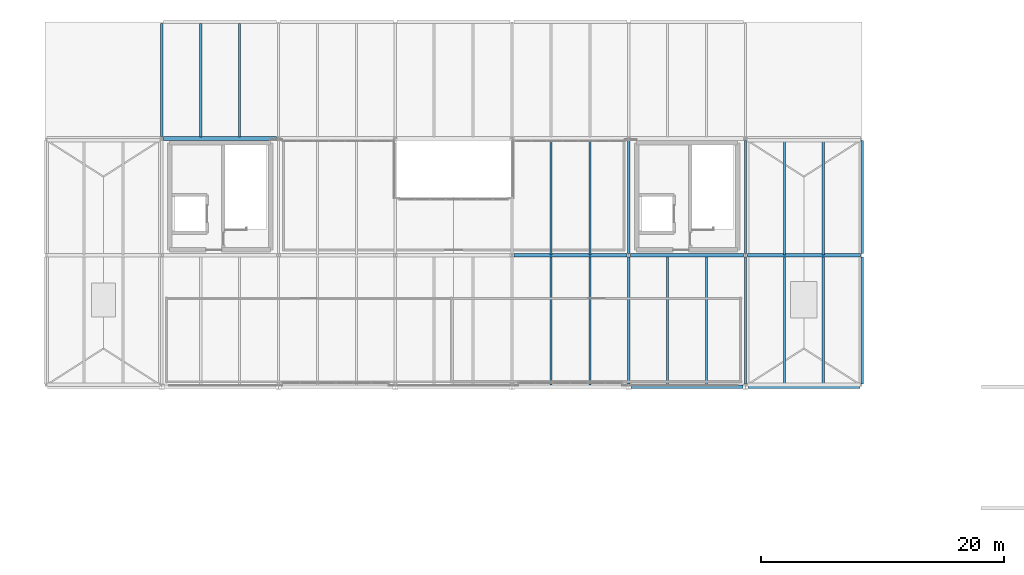
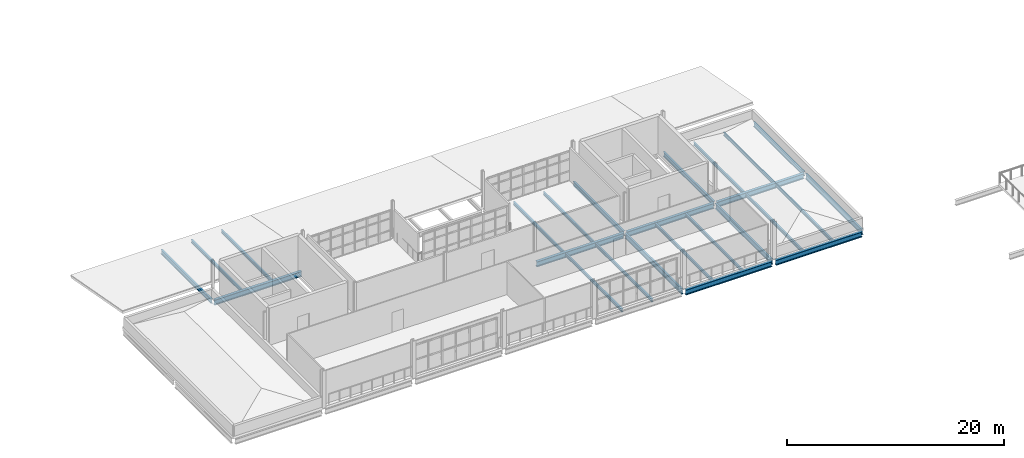
# One storey, part 25 of 58: 25 beams.
"""IFC4 building model written with IfcOpenShell, lengths in metres."""

from ifc_helpers import new_model, si_unit, direction, frame, origin, origin_2d, place, context, subcontext, project, spatial, i_section, extrude, material, material_profile, profile_set, type_object, element, save


model = new_model("IFC4")

# Units and contexts
model_context = context("Model", 3, precision=1e-05, world=origin(), true_north=direction((0.0, 1.0)))
body_context = subcontext(model_context, "Body", "Model", "MODEL_VIEW")
ifc_project = project(units=[si_unit("LENGTHUNIT", "METRE"), si_unit("AREAUNIT", "SQUARE_METRE"), si_unit("VOLUMEUNIT", "CUBIC_METRE"), si_unit("PLANEANGLEUNIT", "RADIAN"), si_unit("MASSUNIT", "GRAM", prefix="KILO")], contexts=[model_context])

# Site, building, storey
site_placement = place(None, origin())
site = spatial("IfcSite", under=ifc_project, at=site_placement, CompositionType="ELEMENT")
building_placement = place(site_placement, origin())
building = spatial("IfcBuilding", under=site, at=building_placement, Name="Yeouljin Market Hall", CompositionType="ELEMENT")
storey_placement = place(building_placement, frame((0.0, 0.0, 10.800048828125)))
storey = spatial("IfcBuildingStorey", under=building, at=storey_placement, Name="L02", CompositionType="ELEMENT", Elevation=10.800048828125)

# Beams
ifc_material_1 = material(Name="Steel SM355", Category="steel")
ifc_material_profile_1 = material_profile(ifc_material_1, i_section(OverallWidth=0.199951171875, OverallDepth=0.5, WebThickness=0.010009765625, FlangeThickness=0.01611328125, FilletRadius=0.02001953125, at=origin_2d()), Name="H-500x200x10x16")
ifc_profile_set_1 = profile_set([ifc_material_profile_1], Name="Steel SM355")
beam_type_1 = type_object("IfcBeamType", Name="Beam_H-500x200x10x16", PredefinedType="BEAM", material=ifc_profile_set_1)
for number, where, z_axis, x_axis, name in (
    (1, (64.199951171875, 98.550048828125, -0.550048828125), (0.0, 1.0, 0.0), (-1.0, 0.0, 0.0), "Primary beam BM-L02-Y109"),
    (2, (102.60009765625, 88.949951171875, -0.505126953125), (0.0, 1.0, 0.0), (-1.0, 0.0, 0.0), "Primary beam BM-L02-Y120"),
    (3, (112.199951171875, 88.949951171875, -0.51513671875), (0.0, 1.0, 0.0), (-1.0, 0.0, 0.0), "Primary beam BM-L02-Y123"),
    (4, (121.800048828125, 88.949951171875, -0.51513671875), (0.0, 1.0, 0.0), (-1.0, 0.0, 0.0), "Primary beam BM-L02-Y126"),
):
    element("IfcBeam", number, at=place(storey_placement, frame(where, z_axis=z_axis, x_axis=x_axis)), inside=storey, type_object=beam_type_1, Name=name, PredefinedType="BEAM", context=body_context, shape_type="SweptSolid", body=[
        extrude(i_section(OverallWidth=0.199951171875, OverallDepth=0.5, WebThickness=0.010009765625, FlangeThickness=0.01611328125, FilletRadius=0.02001953125, at=origin_2d()), origin(), (0.0, 0.0, 1.0), 9.300048828125),
    ])
ifc_material_2 = material(Name="Steel SM355", Category="steel")
ifc_material_profile_2 = material_profile(ifc_material_2, i_section(OverallWidth=0.199951171875, OverallDepth=0.60009765625, WebThickness=0.010986328125, FlangeThickness=0.01708984375, FilletRadius=0.02197265625, at=origin_2d()), Name="H-600x200x11x17")
ifc_profile_set_2 = profile_set([ifc_material_profile_2], Name="Steel SM355")
beam_type_2 = type_object("IfcBeamType", Name="Beam_H-600x200x11x17", PredefinedType="BEAM", material=ifc_profile_set_2)
for number, where, z_axis, x_axis, name in (
    (5, (102.60009765625, 78.199951171875, -0.554931640625), (0.0, 1.0, 0.0), (-1.0, 0.0, 0.0), "Primary beam BM-L02-Y119"),
    (6, (112.199951171875, 78.199951171875, -0.56494140625), (0.0, 1.0, 0.0), (-1.0, 0.0, 0.0), "Primary beam BM-L02-Y122"),
    (7, (121.800048828125, 78.199951171875, -0.56494140625), (0.0, 1.0, 0.0), (-1.0, 0.0, 0.0), "Primary beam BM-L02-Y125"),
):
    element("IfcBeam", number, at=place(storey_placement, frame(where, z_axis=z_axis, x_axis=x_axis)), inside=storey, type_object=beam_type_2, Name=name, PredefinedType="BEAM", context=body_context, shape_type="SweptSolid", body=[
        extrude(i_section(OverallWidth=0.199951171875, OverallDepth=0.60009765625, WebThickness=0.010986328125, FlangeThickness=0.01708984375, FilletRadius=0.02197265625, at=origin_2d()), origin(), (0.0, 0.0, 1.0), 10.449951171875),
    ])
ifc_material_3 = material(Name="Steel SM355", Category="steel")
ifc_material_profile_3 = material_profile(ifc_material_3, i_section(OverallWidth=0.300048828125, OverallDepth=0.587890625, WebThickness=0.011962890625, FlangeThickness=0.02001953125, FilletRadius=0.02392578125, at=origin_2d()), Name="H-588x300x12x20")
ifc_profile_set_3 = profile_set([ifc_material_profile_3], Name="Steel SM355")
beam_type_3 = type_object("IfcBeamType", Name="Girder_H-588x300x12x20", PredefinedType="USERDEFINED", material=ifc_profile_set_3)
beam_1_placement = place(storey_placement, frame((102.800048828125, 78.0, -0.549072265625), z_axis=(1.0, 0.0, 0.0), x_axis=(0.0, 1.0, 0.0)))
element("IfcBeam", 8, at=beam_1_placement, inside=storey, type_object=beam_type_3, Name="Primary girder GRD-L02-X052", ObjectType="GIRDER", PredefinedType="USERDEFINED", context=body_context, shape_type="SweptSolid", body=[
    extrude(i_section(OverallWidth=0.300048828125, OverallDepth=0.587890625, WebThickness=0.011962890625, FlangeThickness=0.02001953125, FilletRadius=0.02392578125, at=origin_2d()), origin(), (0.0, 0.0, 1.0), 9.199951171875),
])
beam_2_placement = place(storey_placement, frame((112.39990234375, 78.0, -0.55908203125), z_axis=(1.0, 0.0, 0.0), x_axis=(0.0, 1.0, 0.0)))
element("IfcBeam", 9, at=beam_2_placement, inside=storey, type_object=beam_type_3, Name="Primary girder GRD-L02-X053", ObjectType="GIRDER", PredefinedType="USERDEFINED", context=body_context, shape_type="SweptSolid", body=[
    extrude(i_section(OverallWidth=0.300048828125, OverallDepth=0.587890625, WebThickness=0.011962890625, FlangeThickness=0.02001953125, FilletRadius=0.02392578125, at=origin_2d()), origin(), (0.0, 0.0, 1.0), 9.2001953125),
])
for number, where, z_axis, x_axis, name in (
    (10, (93.14990234375, 88.800048828125, -0.549072265625), (1.0, 0.0, 0.0), (0.0, 1.0, 0.0), "Primary girder GRD-L02-X061"),
    (11, (102.75, 88.800048828125, -0.549072265625), (1.0, 0.0, 0.0), (0.0, 1.0, 0.0), "Primary girder GRD-L02-X062"),
):
    element("IfcBeam", number, at=place(storey_placement, frame(where, z_axis=z_axis, x_axis=x_axis)), inside=storey, type_object=beam_type_3, Name=name, ObjectType="GIRDER", PredefinedType="USERDEFINED", context=body_context, shape_type="SweptSolid", body=[
        extrude(i_section(OverallWidth=0.300048828125, OverallDepth=0.587890625, WebThickness=0.011962890625, FlangeThickness=0.02001953125, FilletRadius=0.02392578125, at=origin_2d()), origin(), (0.0, 0.0, 1.0), 9.300048828125),
    ])
for number, where, z_axis, x_axis, name in (
    (12, (112.35009765625, 88.800048828125, -0.55908203125), (1.0, 0.0, 0.0), (0.0, 1.0, 0.0), "Primary girder GRD-L02-X063"),
    (13, (64.35009765625, 98.39990234375, -0.593994140625), (1.0, 0.0, 0.0), (0.0, 1.0, 0.0), "Primary girder GRD-L02-X066"),
):
    element("IfcBeam", number, at=place(storey_placement, frame(where, z_axis=z_axis, x_axis=x_axis)), inside=storey, type_object=beam_type_3, Name=name, ObjectType="GIRDER", PredefinedType="USERDEFINED", context=body_context, shape_type="SweptSolid", body=[
        extrude(i_section(OverallWidth=0.300048828125, OverallDepth=0.587890625, WebThickness=0.011962890625, FlangeThickness=0.02001953125, FilletRadius=0.02392578125, at=origin_2d()), origin(), (0.0, 0.0, 1.0), 9.2998046875),
    ])
ifc_material_4 = material(Name="Steel SM355", Category="steel")
ifc_material_profile_4 = material_profile(ifc_material_4, i_section(OverallWidth=0.175048828125, OverallDepth=0.35009765625, WebThickness=0.007080078125, FlangeThickness=0.010986328125, FilletRadius=0.013916015625, at=origin_2d()), Name="H-350x175x7x11")
ifc_profile_set_4 = profile_set([ifc_material_profile_4], Name="Steel SM355")
beam_type_4 = type_object("IfcBeamType", Name="Joist_H-350x175x7x11", PredefinedType="JOIST", material=ifc_profile_set_4)
for number, where, z_axis, x_axis, name in (
    (14, (67.39990234375, 98.547119140625, -0.47509765625), (0.0, 1.0, 0.0), (-1.0, 0.0, 0.0), "Secondary floor joist L02-034"),
    (15, (70.60009765625, 98.547119140625, -0.47509765625), (0.0, 1.0, 0.0), (-1.0, 0.0, 0.0), "Secondary floor joist L02-035"),
):
    element("IfcBeam", number, at=place(storey_placement, frame(where, z_axis=z_axis, x_axis=x_axis)), inside=storey, type_object=beam_type_4, Name=name, PredefinedType="JOIST", context=body_context, shape_type="SweptSolid", body=[
        extrude(i_section(OverallWidth=0.175048828125, OverallDepth=0.35009765625, WebThickness=0.007080078125, FlangeThickness=0.010986328125, FilletRadius=0.013916015625, at=origin_2d()), origin(), (0.0, 0.0, 1.0), 9.305908203125),
    ])
for number, where, z_axis, x_axis, name in (
    (16, (96.199951171875, 78.14697265625, -0.429931640625), (0.0, 1.0, 0.0), (-1.0, 0.0, 0.0), "Secondary floor joist L02-046"),
    (17, (99.39990234375, 78.14697265625, -0.429931640625), (0.0, 1.0, 0.0), (-1.0, 0.0, 0.0), "Secondary floor joist L02-047"),
):
    element("IfcBeam", number, at=place(storey_placement, frame(where, z_axis=z_axis, x_axis=x_axis)), inside=storey, type_object=beam_type_4, Name=name, PredefinedType="JOIST", context=body_context, shape_type="SweptSolid", body=[
        extrude(i_section(OverallWidth=0.175048828125, OverallDepth=0.35009765625, WebThickness=0.007080078125, FlangeThickness=0.010986328125, FilletRadius=0.013916015625, at=origin_2d()), origin(), (0.0, 0.0, 1.0), 10.506103515625),
    ])
for number, where, z_axis, x_axis, name in (
    (18, (96.199951171875, 88.805908203125, -0.47509765625), (0.0, 1.0, 0.0), (-1.0, 0.0, 0.0), "Secondary floor joist L02-048"),
    (19, (99.39990234375, 88.805908203125, -0.47509765625), (0.0, 1.0, 0.0), (-1.0, 0.0, 0.0), "Secondary floor joist L02-049"),
):
    element("IfcBeam", number, at=place(storey_placement, frame(where, z_axis=z_axis, x_axis=x_axis)), inside=storey, type_object=beam_type_4, Name=name, PredefinedType="JOIST", context=body_context, shape_type="SweptSolid", body=[
        extrude(i_section(OverallWidth=0.175048828125, OverallDepth=0.35009765625, WebThickness=0.007080078125, FlangeThickness=0.010986328125, FilletRadius=0.013916015625, at=origin_2d()), origin(), (0.0, 0.0, 1.0), 9.447021484375),
    ])
for number, where, z_axis, x_axis, name in (
    (20, (105.800048828125, 78.14697265625, -0.429931640625), (0.0, 1.0, 0.0), (-1.0, 0.0, 0.0), "Secondary floor joist L02-052"),
    (21, (109.0, 78.14697265625, -0.429931640625), (0.0, 1.0, 0.0), (-1.0, 0.0, 0.0), "Secondary floor joist L02-053"),
    (22, (115.39990234375, 78.14697265625, -0.43994140625), (0.0, 1.0, 0.0), (-1.0, 0.0, 0.0), "Secondary floor joist L02-056"),
    (23, (118.60009765625, 78.14697265625, -0.43994140625), (0.0, 1.0, 0.0), (-1.0, 0.0, 0.0), "Secondary floor joist L02-057"),
):
    element("IfcBeam", number, at=place(storey_placement, frame(where, z_axis=z_axis, x_axis=x_axis)), inside=storey, type_object=beam_type_4, Name=name, PredefinedType="JOIST", context=body_context, shape_type="SweptSolid", body=[
        extrude(i_section(OverallWidth=0.175048828125, OverallDepth=0.35009765625, WebThickness=0.007080078125, FlangeThickness=0.010986328125, FilletRadius=0.013916015625, at=origin_2d()), origin(), (0.0, 0.0, 1.0), 10.506103515625),
    ])
for number, where, z_axis, x_axis, name in (
    (24, (115.39990234375, 88.805908203125, -0.47509765625), (0.0, 1.0, 0.0), (-1.0, 0.0, 0.0), "Secondary floor joist L02-058"),
    (25, (118.60009765625, 88.805908203125, -0.47509765625), (0.0, 1.0, 0.0), (-1.0, 0.0, 0.0), "Secondary floor joist L02-059"),
):
    element("IfcBeam", number, at=place(storey_placement, frame(where, z_axis=z_axis, x_axis=x_axis)), inside=storey, type_object=beam_type_4, Name=name, PredefinedType="JOIST", context=body_context, shape_type="SweptSolid", body=[
        extrude(i_section(OverallWidth=0.175048828125, OverallDepth=0.35009765625, WebThickness=0.007080078125, FlangeThickness=0.010986328125, FilletRadius=0.013916015625, at=origin_2d()), origin(), (0.0, 0.0, 1.0), 9.447021484375),
    ])

save(model, "model.ifc")
